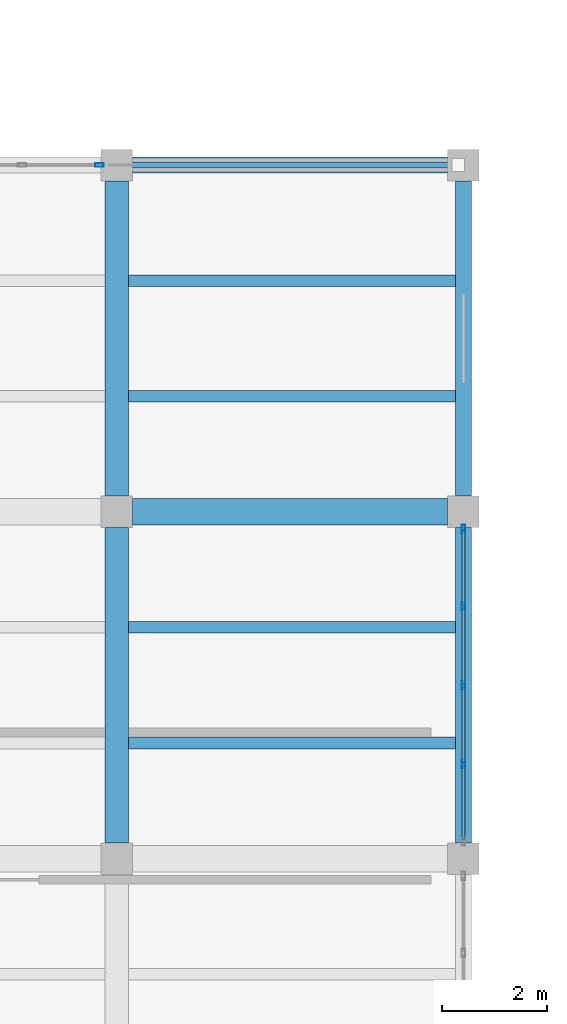
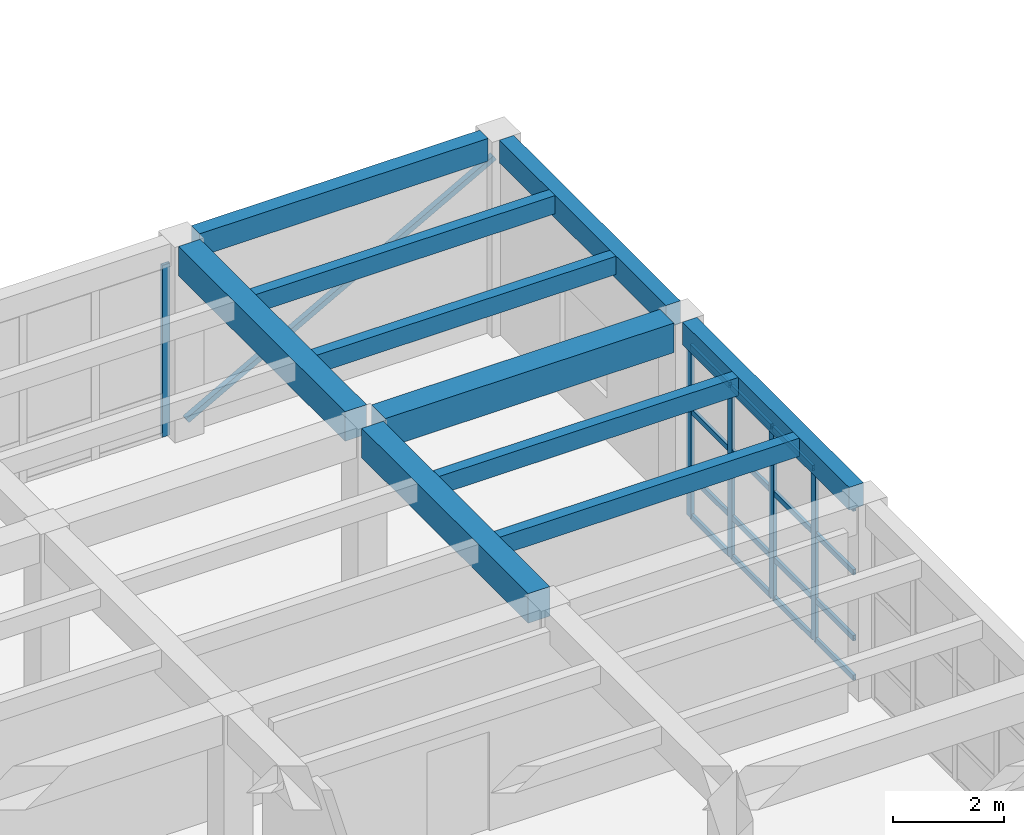
# One storey, part 16 of 80: 22 members, 10 beams, 2 elements without a shape of their own.
"""IFC4 building model written with IfcOpenShell, lengths in metres."""

from ifc_helpers import new_model, si_unit, direction, frame, origin, origin_2d, place, context, subcontext, project, spatial, rectangle, hollow_rectangle, extrude, material, layer, layer_set, material_profile, profile_set, type_object, element, aggregate, save


model = new_model("IFC4")

# Units and contexts
model_context = context("Model", 3, precision=1e-05, world=origin(), true_north=direction((0.0, 1.0)))
body_context = subcontext(model_context, "Body", "Model", "MODEL_VIEW")
ifc_project = project(units=[si_unit("LENGTHUNIT", "METRE"), si_unit("AREAUNIT", "SQUARE_METRE"), si_unit("VOLUMEUNIT", "CUBIC_METRE"), si_unit("PLANEANGLEUNIT", "RADIAN"), si_unit("MASSUNIT", "GRAM", prefix="KILO")], contexts=[model_context])

# Site, building, storey
site_placement = place(None, origin())
site = spatial("IfcSite", under=ifc_project, at=site_placement, CompositionType="ELEMENT")
building_placement = place(site_placement, origin())
building = spatial("IfcBuilding", under=site, at=building_placement, Name="Kharisveld Research Institute", CompositionType="ELEMENT")
storey_placement = place(building_placement, frame((0.0, 0.0, 5.10009765625)))
storey = spatial("IfcBuildingStorey", under=building, at=storey_placement, Name="L01", CompositionType="ELEMENT", Elevation=5.10009765625)

# Beams
ifc_material_1 = material(Name="Concrete C40/50", Category="concrete")
ifc_material_profile_1 = material_profile(ifc_material_1, rectangle(XDim=0.449951171875, YDim=0.64990234375, at=origin_2d()))
ifc_profile_set_1 = profile_set([ifc_material_profile_1], Name="Concrete C40/50")
beam_type_1 = type_object("IfcBeamType", Name="BM_RC_450x650", PredefinedType="BEAM", material=ifc_profile_set_1)
for number, where, z_axis, x_axis, name in (
    (1, (33.60009765625, 13.699951171875, 3.974853515625), (0.0, 1.0, 0.0), (-1.0, 0.0, 0.0), "BM:V3:L01:V5_2"),
    (2, (33.60009765625, 20.300048828125, 3.974853515625), (0.0, 1.0, 0.0), (-1.0, 0.0, 0.0), "BM:V3:L01:V5_3"),
):
    element("IfcBeam", number, at=place(storey_placement, frame(where, z_axis=z_axis, x_axis=x_axis)), inside=storey, type_object=beam_type_1, Name=name, PredefinedType="BEAM", context=body_context, shape_type="SweptSolid", body=[
        extrude(rectangle(XDim=0.449951171875, YDim=0.64990234375, at=origin_2d()), origin(), (0.0, 0.0, 1.0), 6.0),
    ])
ifc_material_2 = material(Name="Concrete C40/50", Category="concrete")
ifc_material_profile_2 = material_profile(ifc_material_2, rectangle(XDim=0.5, YDim=0.64990234375, at=origin_2d()))
ifc_profile_set_2 = profile_set([ifc_material_profile_2], Name="Concrete C40/50")
beam_type_2 = type_object("IfcBeamType", Name="BM_RC_500x650", PredefinedType="BEAM", material=ifc_profile_set_2)
beam_placement = place(storey_placement, frame((33.89990234375, 20.0, 3.974853515625), z_axis=(1.0, 0.0, 0.0), x_axis=(0.0, 1.0, 0.0)))
element("IfcBeam", 3, at=beam_placement, inside=storey, type_object=beam_type_2, Name="BM:V3:L01:U5_3", PredefinedType="BEAM", context=body_context, shape_type="SweptSolid", body=[
    extrude(rectangle(XDim=0.5, YDim=0.64990234375, at=origin_2d()), origin(), (0.0, 0.0, 1.0), 6.0),
])

# Member
ifc_material_3 = material(Name="Steel S355J2H", Category="steel")
ifc_material_profile_3 = material_profile(ifc_material_3, hollow_rectangle(XDim=0.1201171875, YDim=0.1201171875, WallThickness=0.00634765625, at=origin_2d()))
ifc_profile_set_3 = profile_set([ifc_material_profile_3], Name="Steel S355J2H")
member_type_1 = type_object("IfcMemberType", Name="BR_SHS120", PredefinedType="BRACE", material=ifc_profile_set_3)
member_1_placement = place(storey_placement, frame((33.699951171875, 26.60009765625, 0.199951171875), z_axis=(0.874481220931, 0.0, 0.48505937187), x_axis=(0.0, 1.0, 0.0)))
element("IfcMember", 4, at=member_1_placement, inside=storey, type_object=member_type_1, Name="MEM:V3:L01:BR_5_4", PredefinedType="BRACE", context=body_context, shape_type="SweptSolid", body=[
    extrude(hollow_rectangle(XDim=0.1201171875, YDim=0.1201171875, WallThickness=0.00634765625, at=origin_2d()), origin(), (0.0, 0.0, 1.0), 7.31884765625),
])

# Curtain wall, member
ifc_material_4 = material(Name="Thermally Broken Aluminium Curtain Wall", Category="aluminium")
ifc_layer_1 = layer(ifc_material_4, 0.159912109375)
ifc_layer_set_1 = layer_set([ifc_layer_1], Name="CW_SYS_02")
curtain_wall_type_1 = type_object("IfcCurtainWallType", Name="CW_SYS_02", PredefinedType="NOTDEFINED", material=ifc_layer_set_1)
curtain_wall_1_placement = place(storey_placement, origin())
curtain_wall_1 = element("IfcCurtainWall", 5, at=curtain_wall_1_placement, inside=storey, type_object=curtain_wall_type_1, Name="CW:V3:L01:N4", PredefinedType="NOTDEFINED")
ifc_material_5 = material(Name="Anodised Aluminium AW-6063-T6", Category="aluminium")
ifc_material_profile_4 = material_profile(ifc_material_5, hollow_rectangle(XDim=0.06494140625, YDim=0.159912109375, WallThickness=0.00390625, at=origin_2d()))
ifc_profile_set_4 = profile_set([ifc_material_profile_4], Name="Anodised Aluminium AW-6063-T6")
member_type_2 = type_object("IfcMemberType", Name="CW_MUL_160", PredefinedType="MULLION", material=ifc_profile_set_4)
member_2_placement = place(storey_placement, frame((33.2724609375, 26.60009765625, 0.0), z_axis=(0.0, 0.0, 1.0), x_axis=(0.0, 1.0, 0.0)))
member_2 = element("IfcMember", 6, at=member_2_placement, type_object=member_type_2, Name="CW-02 mullion 5", PredefinedType="MULLION", context=body_context, shape_type="SweptSolid", body=[
    extrude(hollow_rectangle(XDim=0.06494140625, YDim=0.159912109375, WallThickness=0.00390625, at=origin_2d()), origin(), (0.0, 0.0, 1.0), 3.77978515625),
])
aggregate(curtain_wall_1, [member_2])

# Curtain wall, members
ifc_material_6 = material(Name="Thermally Broken Aluminium Curtain Wall", Category="aluminium")
ifc_layer_2 = layer(ifc_material_6, 0.159912109375)
ifc_layer_set_2 = layer_set([ifc_layer_2], Name="CW_SYS_03")
curtain_wall_type_2 = type_object("IfcCurtainWallType", Name="CW_SYS_03", PredefinedType="NOTDEFINED", material=ifc_layer_set_2)
curtain_wall_2_placement = place(storey_placement, origin())
curtain_wall_2 = element("IfcCurtainWall", 7, at=curtain_wall_2_placement, inside=storey, type_object=curtain_wall_type_2, Name="CW:V3:L01:E3", PredefinedType="NOTDEFINED")
member_3_placement = place(storey_placement, frame((40.199951171875, 19.672607421875, 0.0), z_axis=(0.0, 0.0, 1.0), x_axis=(1.0, 0.0, 0.0)))
member_3 = element("IfcMember", 8, at=member_3_placement, type_object=member_type_2, Name="CW-03 mullion 1", PredefinedType="MULLION", context=body_context, shape_type="SweptSolid", body=[
    extrude(hollow_rectangle(XDim=0.06494140625, YDim=0.159912109375, WallThickness=0.00390625, at=origin_2d()), origin(), (0.0, 0.0, 1.0), 3.77978515625),
])
member_4_placement = place(storey_placement, frame((40.199951171875, 18.202392578125, 0.0), z_axis=(0.0, 0.0, 1.0), x_axis=(1.0, 0.0, 0.0)))
member_4 = element("IfcMember", 9, at=member_4_placement, type_object=member_type_2, Name="CW-03 mullion 2", PredefinedType="MULLION", context=body_context, shape_type="SweptSolid", body=[
    extrude(hollow_rectangle(XDim=0.06494140625, YDim=0.159912109375, WallThickness=0.00390625, at=origin_2d()), origin(), (0.0, 0.0, 1.0), 3.77978515625),
])
member_5_placement = place(storey_placement, frame((40.199951171875, 16.699951171875, 0.0), z_axis=(0.0, 0.0, 1.0), x_axis=(1.0, 0.0, 0.0)))
member_5 = element("IfcMember", 10, at=member_5_placement, type_object=member_type_2, Name="CW-03 mullion 3", PredefinedType="MULLION", context=body_context, shape_type="SweptSolid", body=[
    extrude(hollow_rectangle(XDim=0.06494140625, YDim=0.159912109375, WallThickness=0.00390625, at=origin_2d()), origin(), (0.0, 0.0, 1.0), 3.77978515625),
])
member_6_placement = place(storey_placement, frame((40.199951171875, 15.197509765625, 0.0), z_axis=(0.0, 0.0, 1.0), x_axis=(1.0, 0.0, 0.0)))
member_6 = element("IfcMember", 11, at=member_6_placement, type_object=member_type_2, Name="CW-03 mullion 4", PredefinedType="MULLION", context=body_context, shape_type="SweptSolid", body=[
    extrude(hollow_rectangle(XDim=0.06494140625, YDim=0.159912109375, WallThickness=0.00390625, at=origin_2d()), origin(), (0.0, 0.0, 1.0), 3.77978515625),
])
ifc_material_7 = material(Name="Anodised Aluminium AW-6063-T6", Category="aluminium")
ifc_material_profile_5 = material_profile(ifc_material_7, hollow_rectangle(XDim=0.06005859375, YDim=0.1201171875, WallThickness=0.00390625, at=origin_2d()))
ifc_profile_set_5 = profile_set([ifc_material_profile_5], Name="Anodised Aluminium AW-6063-T6")
member_type_3 = type_object("IfcMemberType", Name="CW_TRN_120", PredefinedType="USERDEFINED", material=ifc_profile_set_5)
member_7_placement = place(storey_placement, frame((40.199951171875, 19.639892578125, 0.02978515625), z_axis=(0.0, -1.0, 0.0), x_axis=(1.0, 0.0, 0.0)))
member_7 = element("IfcMember", 12, at=member_7_placement, type_object=member_type_3, Name="CW-03 transom 1.1", ObjectType="TRANSOM", PredefinedType="USERDEFINED", context=body_context, shape_type="SweptSolid", body=[
    extrude(hollow_rectangle(XDim=0.06005859375, YDim=0.1201171875, WallThickness=0.00390625, at=origin_2d()), origin(), (0.0, 0.0, 1.0), 1.40478515625),
])
member_8_placement = place(storey_placement, frame((40.199951171875, 19.639892578125, 0.89990234375), z_axis=(0.0, -1.0, 0.0), x_axis=(1.0, 0.0, 0.0)))
member_8 = element("IfcMember", 13, at=member_8_placement, type_object=member_type_3, Name="CW-03 transom 1.2", ObjectType="TRANSOM", PredefinedType="USERDEFINED", context=body_context, shape_type="SweptSolid", body=[
    extrude(hollow_rectangle(XDim=0.06005859375, YDim=0.1201171875, WallThickness=0.00390625, at=origin_2d()), origin(), (0.0, 0.0, 1.0), 1.40478515625),
])
member_9_placement = place(storey_placement, frame((40.199951171875, 19.639892578125, 2.349853515625), z_axis=(0.0, -1.0, 0.0), x_axis=(1.0, 0.0, 0.0)))
member_9 = element("IfcMember", 14, at=member_9_placement, type_object=member_type_3, Name="CW-03 transom 1.3", ObjectType="TRANSOM", PredefinedType="USERDEFINED", context=body_context, shape_type="SweptSolid", body=[
    extrude(hollow_rectangle(XDim=0.06005859375, YDim=0.1201171875, WallThickness=0.00390625, at=origin_2d()), origin(), (0.0, 0.0, 1.0), 1.40478515625),
])
member_10_placement = place(storey_placement, frame((40.199951171875, 19.639892578125, 3.75), z_axis=(0.0, -1.0, 0.0), x_axis=(1.0, 0.0, 0.0)))
member_10 = element("IfcMember", 15, at=member_10_placement, type_object=member_type_3, Name="CW-03 transom 1.4", ObjectType="TRANSOM", PredefinedType="USERDEFINED", context=body_context, shape_type="SweptSolid", body=[
    extrude(hollow_rectangle(XDim=0.06005859375, YDim=0.1201171875, WallThickness=0.00390625, at=origin_2d()), origin(), (0.0, 0.0, 1.0), 1.40478515625),
])
member_11_placement = place(storey_placement, frame((40.199951171875, 18.169921875, 0.02978515625), z_axis=(0.0, -1.0, 0.0), x_axis=(1.0, 0.0, 0.0)))
member_11 = element("IfcMember", 16, at=member_11_placement, type_object=member_type_3, Name="CW-03 transom 2.1", ObjectType="TRANSOM", PredefinedType="USERDEFINED", context=body_context, shape_type="SweptSolid", body=[
    extrude(hollow_rectangle(XDim=0.06005859375, YDim=0.1201171875, WallThickness=0.00390625, at=origin_2d()), origin(), (0.0, 0.0, 1.0), 1.4375),
])
member_12_placement = place(storey_placement, frame((40.199951171875, 18.169921875, 0.89990234375), z_axis=(0.0, -1.0, 0.0), x_axis=(1.0, 0.0, 0.0)))
member_12 = element("IfcMember", 17, at=member_12_placement, type_object=member_type_3, Name="CW-03 transom 2.2", ObjectType="TRANSOM", PredefinedType="USERDEFINED", context=body_context, shape_type="SweptSolid", body=[
    extrude(hollow_rectangle(XDim=0.06005859375, YDim=0.1201171875, WallThickness=0.00390625, at=origin_2d()), origin(), (0.0, 0.0, 1.0), 1.4375),
])
member_13_placement = place(storey_placement, frame((40.199951171875, 18.169921875, 2.349853515625), z_axis=(0.0, -1.0, 0.0), x_axis=(1.0, 0.0, 0.0)))
member_13 = element("IfcMember", 18, at=member_13_placement, type_object=member_type_3, Name="CW-03 transom 2.3", ObjectType="TRANSOM", PredefinedType="USERDEFINED", context=body_context, shape_type="SweptSolid", body=[
    extrude(hollow_rectangle(XDim=0.06005859375, YDim=0.1201171875, WallThickness=0.00390625, at=origin_2d()), origin(), (0.0, 0.0, 1.0), 1.4375),
])
member_14_placement = place(storey_placement, frame((40.199951171875, 18.169921875, 3.75), z_axis=(0.0, -1.0, 0.0), x_axis=(1.0, 0.0, 0.0)))
member_14 = element("IfcMember", 19, at=member_14_placement, type_object=member_type_3, Name="CW-03 transom 2.4", ObjectType="TRANSOM", PredefinedType="USERDEFINED", context=body_context, shape_type="SweptSolid", body=[
    extrude(hollow_rectangle(XDim=0.06005859375, YDim=0.1201171875, WallThickness=0.00390625, at=origin_2d()), origin(), (0.0, 0.0, 1.0), 1.4375),
])
member_15_placement = place(storey_placement, frame((40.199951171875, 16.66748046875, 0.02978515625), z_axis=(0.0, -1.0, 0.0), x_axis=(1.0, 0.0, 0.0)))
member_15 = element("IfcMember", 20, at=member_15_placement, type_object=member_type_3, Name="CW-03 transom 3.1", ObjectType="TRANSOM", PredefinedType="USERDEFINED", context=body_context, shape_type="SweptSolid", body=[
    extrude(hollow_rectangle(XDim=0.06005859375, YDim=0.1201171875, WallThickness=0.00390625, at=origin_2d()), origin(), (0.0, 0.0, 1.0), 1.4375),
])
member_16_placement = place(storey_placement, frame((40.199951171875, 16.66748046875, 0.89990234375), z_axis=(0.0, -1.0, 0.0), x_axis=(1.0, 0.0, 0.0)))
member_16 = element("IfcMember", 21, at=member_16_placement, type_object=member_type_3, Name="CW-03 transom 3.2", ObjectType="TRANSOM", PredefinedType="USERDEFINED", context=body_context, shape_type="SweptSolid", body=[
    extrude(hollow_rectangle(XDim=0.06005859375, YDim=0.1201171875, WallThickness=0.00390625, at=origin_2d()), origin(), (0.0, 0.0, 1.0), 1.4375),
])
member_17_placement = place(storey_placement, frame((40.199951171875, 16.66748046875, 2.349853515625), z_axis=(0.0, -1.0, 0.0), x_axis=(1.0, 0.0, 0.0)))
member_17 = element("IfcMember", 22, at=member_17_placement, type_object=member_type_3, Name="CW-03 transom 3.3", ObjectType="TRANSOM", PredefinedType="USERDEFINED", context=body_context, shape_type="SweptSolid", body=[
    extrude(hollow_rectangle(XDim=0.06005859375, YDim=0.1201171875, WallThickness=0.00390625, at=origin_2d()), origin(), (0.0, 0.0, 1.0), 1.4375),
])
member_18_placement = place(storey_placement, frame((40.199951171875, 16.66748046875, 3.75), z_axis=(0.0, -1.0, 0.0), x_axis=(1.0, 0.0, 0.0)))
member_18 = element("IfcMember", 23, at=member_18_placement, type_object=member_type_3, Name="CW-03 transom 3.4", ObjectType="TRANSOM", PredefinedType="USERDEFINED", context=body_context, shape_type="SweptSolid", body=[
    extrude(hollow_rectangle(XDim=0.06005859375, YDim=0.1201171875, WallThickness=0.00390625, at=origin_2d()), origin(), (0.0, 0.0, 1.0), 1.4375),
])
member_19_placement = place(storey_placement, frame((40.199951171875, 15.1650390625, 0.02978515625), z_axis=(0.0, -1.0, 0.0), x_axis=(1.0, 0.0, 0.0)))
member_19 = element("IfcMember", 24, at=member_19_placement, type_object=member_type_3, Name="CW-03 transom 4.1", ObjectType="TRANSOM", PredefinedType="USERDEFINED", context=body_context, shape_type="SweptSolid", body=[
    extrude(hollow_rectangle(XDim=0.06005859375, YDim=0.1201171875, WallThickness=0.00390625, at=origin_2d()), origin(), (0.0, 0.0, 1.0), 1.405029296875),
])
member_20_placement = place(storey_placement, frame((40.199951171875, 15.1650390625, 0.89990234375), z_axis=(0.0, -1.0, 0.0), x_axis=(1.0, 0.0, 0.0)))
member_20 = element("IfcMember", 25, at=member_20_placement, type_object=member_type_3, Name="CW-03 transom 4.2", ObjectType="TRANSOM", PredefinedType="USERDEFINED", context=body_context, shape_type="SweptSolid", body=[
    extrude(hollow_rectangle(XDim=0.06005859375, YDim=0.1201171875, WallThickness=0.00390625, at=origin_2d()), origin(), (0.0, 0.0, 1.0), 1.405029296875),
])
member_21_placement = place(storey_placement, frame((40.199951171875, 15.1650390625, 2.349853515625), z_axis=(0.0, -1.0, 0.0), x_axis=(1.0, 0.0, 0.0)))
member_21 = element("IfcMember", 26, at=member_21_placement, type_object=member_type_3, Name="CW-03 transom 4.3", ObjectType="TRANSOM", PredefinedType="USERDEFINED", context=body_context, shape_type="SweptSolid", body=[
    extrude(hollow_rectangle(XDim=0.06005859375, YDim=0.1201171875, WallThickness=0.00390625, at=origin_2d()), origin(), (0.0, 0.0, 1.0), 1.405029296875),
])
member_22_placement = place(storey_placement, frame((40.199951171875, 15.1650390625, 3.75), z_axis=(0.0, -1.0, 0.0), x_axis=(1.0, 0.0, 0.0)))
member_22 = element("IfcMember", 27, at=member_22_placement, type_object=member_type_3, Name="CW-03 transom 4.4", ObjectType="TRANSOM", PredefinedType="USERDEFINED", context=body_context, shape_type="SweptSolid", body=[
    extrude(hollow_rectangle(XDim=0.06005859375, YDim=0.1201171875, WallThickness=0.00390625, at=origin_2d()), origin(), (0.0, 0.0, 1.0), 1.405029296875),
])
aggregate(curtain_wall_2, [member_3, member_4, member_5, member_6, member_7, member_8, member_9, member_10, member_11, member_12, member_13, member_14, member_15, member_16, member_17, member_18, member_19, member_20, member_21, member_22])

# Beams
ifc_material_8 = material(Name="Concrete C40/50", Category="concrete")
ifc_material_profile_6 = material_profile(ifc_material_8, rectangle(XDim=0.300048828125, YDim=0.5, at=origin_2d()))
ifc_profile_set_6 = profile_set([ifc_material_profile_6], Name="Concrete C40/50")
beam_type_3 = type_object("IfcBeamType", Name="SP_RC_300x500", PredefinedType="SPANDREL", material=ifc_profile_set_6)
for number, where, z_axis, x_axis, name in (
    (28, (33.89990234375, 26.60009765625, 4.0498046875), (1.0, 0.0, 0.0), (0.0, 1.0, 0.0), "BM:V3:L01:U5_4"),
    (29, (40.199951171875, 13.699951171875, 4.0498046875), (0.0, 1.0, 0.0), (-1.0, 0.0, 0.0), "BM:V3:L01:V6_2"),
    (30, (40.199951171875, 20.300048828125, 4.0498046875), (0.0, 1.0, 0.0), (-1.0, 0.0, 0.0), "BM:V3:L01:V6_3"),
):
    element("IfcBeam", number, at=place(storey_placement, frame(where, z_axis=z_axis, x_axis=x_axis)), inside=storey, type_object=beam_type_3, Name=name, PredefinedType="SPANDREL", context=body_context, shape_type="SweptSolid", body=[
        extrude(rectangle(XDim=0.300048828125, YDim=0.5, at=origin_2d()), origin(), (0.0, 0.0, 1.0), 6.0),
    ])
ifc_material_9 = material(Name="Concrete C40/50", Category="concrete")
ifc_material_profile_7 = material_profile(ifc_material_9, rectangle(XDim=0.219970703125, YDim=0.39990234375, at=origin_2d()))
ifc_profile_set_7 = profile_set([ifc_material_profile_7], Name="Concrete C40/50")
beam_type_4 = type_object("IfcBeamType", Name="WB_RC_220x400", PredefinedType="JOIST", material=ifc_profile_set_7)
for number, where, z_axis, x_axis, name in (
    (31, (33.824951171875, 15.60009765625, 4.099853515625), (1.0, 0.0, 0.0), (0.0, 1.0, 0.0), "BM:V3:L01:J_5_2_R1"),
    (32, (33.824951171875, 17.800048828125, 4.099853515625), (1.0, 0.0, 0.0), (0.0, 1.0, 0.0), "BM:V3:L01:J_5_2_R2"),
    (33, (33.824951171875, 22.199951171875, 4.099853515625), (1.0, 0.0, 0.0), (0.0, 1.0, 0.0), "BM:V3:L01:J_5_3_R1"),
    (34, (33.824951171875, 24.39990234375, 4.099853515625), (1.0, 0.0, 0.0), (0.0, 1.0, 0.0), "BM:V3:L01:J_5_3_R2"),
):
    element("IfcBeam", number, at=place(storey_placement, frame(where, z_axis=z_axis, x_axis=x_axis)), inside=storey, type_object=beam_type_4, Name=name, PredefinedType="JOIST", context=body_context, shape_type="SweptSolid", body=[
        extrude(rectangle(XDim=0.219970703125, YDim=0.39990234375, at=origin_2d()), origin(), (0.0, 0.0, 1.0), 6.22509765625),
    ])

save(model, "model.ifc")
